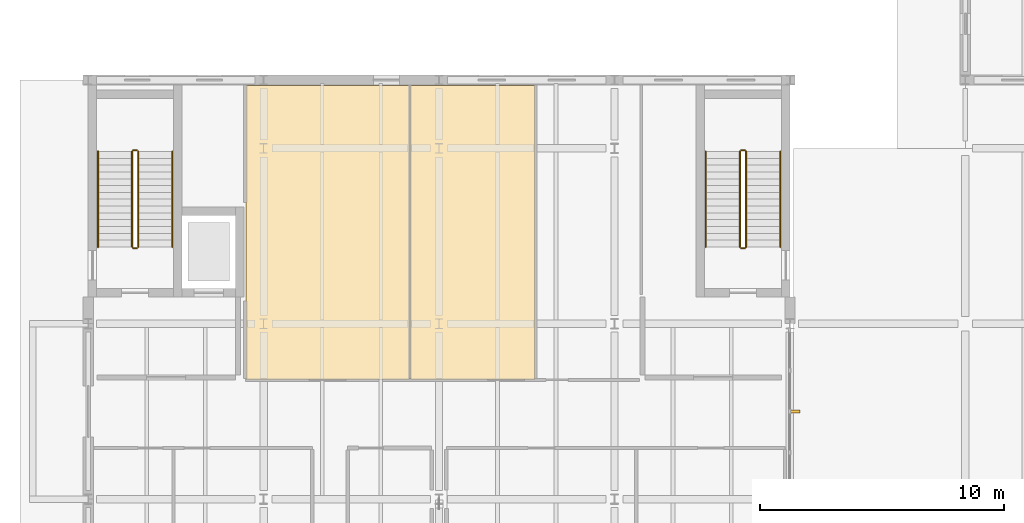
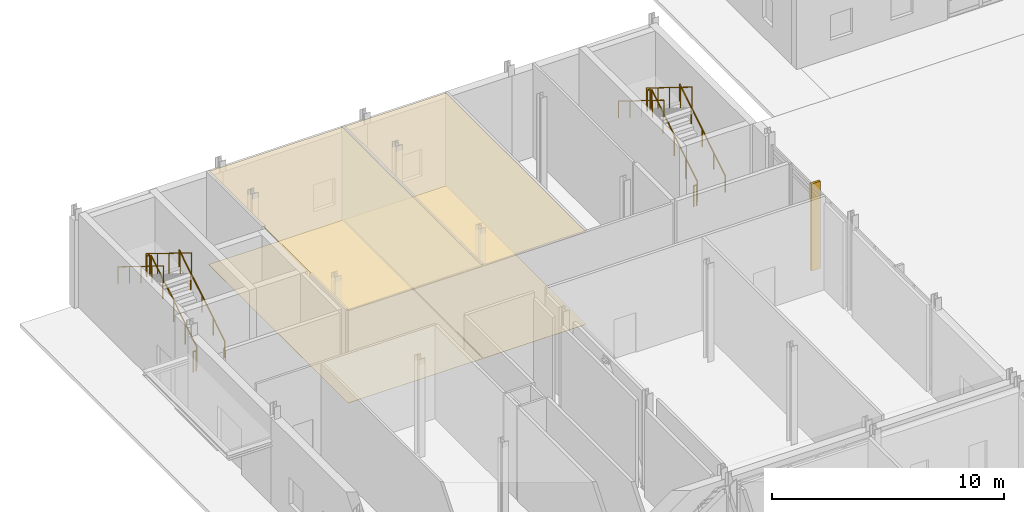
# One storey, part 83 of 89: 12 railings, 4 coverings, 1 shading device.
"""IFC4 building model written with IfcOpenShell, lengths in metres."""

from ifc_helpers import new_model, si_unit, direction, frame, origin, origin_2d, place, context, subcontext, project, spatial, polyline, rectangle, circle, outline, extrude, material, layer, layer_set, type_object, element, save


model = new_model("IFC4")

# Units and contexts
model_context = context("Model", 3, precision=1e-05, world=origin(), true_north=direction((0.0, 1.0)))
body_context = subcontext(model_context, "Body", "Model", "MODEL_VIEW")
ifc_project = project(units=[si_unit("LENGTHUNIT", "METRE"), si_unit("AREAUNIT", "SQUARE_METRE"), si_unit("VOLUMEUNIT", "CUBIC_METRE"), si_unit("PLANEANGLEUNIT", "RADIAN"), si_unit("MASSUNIT", "GRAM", prefix="KILO")], contexts=[model_context])

# Site, building, storey
site_placement = place(None, origin())
site = spatial("IfcSite", under=ifc_project, at=site_placement, CompositionType="ELEMENT")
building_placement = place(site_placement, origin())
building = spatial("IfcBuilding", under=site, at=building_placement, Name="Zarrinpeak Specialist Clinic", CompositionType="ELEMENT")
storey_placement = place(building_placement, origin())
storey = spatial("IfcBuildingStorey", under=building, at=storey_placement, Name="L00", CompositionType="ELEMENT", Elevation=0.0)

# Coverings
ifc_material_1 = material(Name="Hygienic Acoustic Mineral Fibre Tile")
ifc_layer_1 = layer(ifc_material_1, 0.02490234375)
ifc_layer_set_1 = layer_set([ifc_layer_1], Name="Hygienic Acoustic Mineral Fibre Tile")
covering_type_1 = type_object("IfcCoveringType", Name="CV-CEIL-AC", PredefinedType="CEILING", material=ifc_layer_set_1)
covering_1_placement = place(storey_placement, frame((0.0, 0.0, 4.885009765625)))
element("IfcCovering", 1, at=covering_1_placement, inside=storey, type_object=covering_type_1, Name="L00 3T MRI Diagnostic Suite Hygienic Acoustic Ceiling", PredefinedType="CEILING", context=body_context, shape_type="SweptSolid", body=[
    extrude(outline(polyline([(13.219970703125, 69.719970703125), (18.330078125, 69.719970703125), (18.330078125, 81.780029296875), (13.219970703125, 81.780029296875), (13.219970703125, 69.719970703125)])), origin(), (0.0, 0.0, 1.0), 0.02490234375),
])
covering_2_placement = place(storey_placement, frame((0.0, 0.0, 4.885009765625)))
element("IfcCovering", 2, at=covering_2_placement, inside=storey, type_object=covering_type_1, Name="L00 128-Slice CT Scanner Suite Hygienic Acoustic Ceiling", PredefinedType="CEILING", context=body_context, shape_type="SweptSolid", body=[
    extrude(outline(polyline([(6.469970703125, 69.719970703125), (13.179931640625, 69.719970703125), (13.179931640625, 81.780029296875), (6.469970703125, 81.780029296875), (6.469970703125, 69.719970703125)])), origin(), (0.0, 0.0, 1.0), 0.02490234375),
])
ifc_material_2 = material(Name="Homogeneous Antimicrobial Clinical Vinyl")
ifc_layer_2 = layer(ifc_material_2, 0.008056640625)
ifc_layer_set_2 = layer_set([ifc_layer_2], Name="Homogeneous Antimicrobial Clinical Vinyl")
covering_type_2 = type_object("IfcCoveringType", Name="CV-FLR-VN", PredefinedType="FLOORING", material=ifc_layer_set_2)
covering_3_placement = place(storey_placement, frame((0.0, 0.0, 0.0009765625)))
element("IfcCovering", 3, at=covering_3_placement, inside=storey, type_object=covering_type_2, Name="L00 3T MRI Diagnostic Suite Antimicrobial Vinyl Flooring", PredefinedType="FLOORING", context=body_context, shape_type="SweptSolid", body=[
    extrude(outline(polyline([(13.219970703125, 69.719970703125), (18.330078125, 69.719970703125), (18.330078125, 81.780029296875), (13.219970703125, 81.780029296875), (13.219970703125, 69.719970703125)])), origin(), (0.0, 0.0, 1.0), 0.008056640625),
])
covering_4_placement = place(storey_placement, frame((0.0, 0.0, 0.0009765625)))
element("IfcCovering", 4, at=covering_4_placement, inside=storey, type_object=covering_type_2, Name="L00 128-Slice CT Scanner Suite Antimicrobial Vinyl Flooring", PredefinedType="FLOORING", context=body_context, shape_type="SweptSolid", body=[
    extrude(outline(polyline([(6.469970703125, 69.719970703125), (13.179931640625, 69.719970703125), (13.179931640625, 81.780029296875), (6.469970703125, 81.780029296875), (6.469970703125, 69.719970703125)])), origin(), (0.0, 0.0, 1.0), 0.008056640625),
])

# Railings
ifc_material_3 = material(Name="Laminated Safety Glass and Stainless Steel 316", Category="steel")
ifc_layer_3 = layer(ifc_material_3, 0.06005859375)
ifc_layer_set_3 = layer_set([ifc_layer_3], Name="Laminated Safety Glass and Stainless Steel 316")
railing_type_1 = type_object("IfcRailingType", Name="RL-GRD115", PredefinedType="GUARDRAIL", material=ifc_layer_set_3)
railing_1_placement = place(storey_placement, frame((2.050048828125, 75.14990234375, 0.17333984375)))
element("IfcRailing", 5, at=railing_1_placement, inside=storey, type_object=railing_type_1, Name="L00 ST-09 stair guard 1", PredefinedType="GUARDRAIL", context=body_context, shape_type="SweptSolid", body=[
    extrude(circle(Radius=0.02392578125, at=origin_2d()), frame((0.0, 0.0, 1.076171875), z_axis=(0.0, 0.850266275192, 0.526352791643), x_axis=(-1.0, 0.0, 0.0)), (0.0, 0.0, 1.0), 4.610595703125),
    extrude(circle(Radius=0.02099609375, at=origin_2d()), origin(), (0.0, 0.0, 1.0), 1.052001953125),
    extrude(circle(Radius=0.02099609375, at=origin_2d()), frame((0.0, 0.97998046875, 0.606689453125)), (0.0, 0.0, 1.0), 1.052001953125),
    extrude(circle(Radius=0.02099609375, at=origin_2d()), frame((0.0, 1.9599609375, 1.21337890625)), (0.0, 0.0, 1.0), 1.052001953125),
    extrude(circle(Radius=0.02099609375, at=origin_2d()), frame((0.0, 2.940185546875, 1.820068359375)), (0.0, 0.0, 1.0), 1.052001953125),
    extrude(circle(Radius=0.02099609375, at=origin_2d()), frame((0.0, 3.920166015625, 2.4267578125)), (0.0, 0.0, 1.0), 1.052001953125),
])
railing_2_placement = place(storey_placement, frame((2.0, 79.1201171875, 2.60009765625)))
element("IfcRailing", 6, at=railing_2_placement, inside=storey, type_object=railing_type_1, Name="L00 ST-09 stair guard 2", PredefinedType="GUARDRAIL", context=body_context, shape_type="SweptSolid", body=[
    extrude(circle(Radius=0.02392578125, at=origin_2d()), frame((0.0, 0.0, 1.076171875), z_axis=(-1.0, 0.0, 0.0), x_axis=(0.0, -1.0, 0.0)), (0.0, 0.0, 1.0), 0.14990234375),
    extrude(circle(Radius=0.02099609375, at=origin_2d()), origin(), (0.0, 0.0, 1.0), 1.052001953125),
    extrude(circle(Radius=0.02099609375, at=origin_2d()), frame((-0.14990234375, 0.0, 0.0)), (0.0, 0.0, 1.0), 1.052001953125),
])
railing_3_placement = place(storey_placement, frame((1.800048828125, 79.070068359375, 2.7734375)))
element("IfcRailing", 7, at=railing_3_placement, inside=storey, type_object=railing_type_1, Name="L00 ST-09 stair guard 3", PredefinedType="GUARDRAIL", context=body_context, shape_type="SweptSolid", body=[
    extrude(circle(Radius=0.02392578125, at=origin_2d()), frame((0.0, 0.0, 1.076171875), z_axis=(0.0, -0.850289973577, 0.526314507528), x_axis=(1.0, 0.0, 0.0)), (0.0, 0.0, 1.0), 4.6103515625),
    extrude(circle(Radius=0.02099609375, at=origin_2d()), origin(), (0.0, 0.0, 1.0), 1.052001953125),
    extrude(circle(Radius=0.02099609375, at=origin_2d()), frame((0.0, -0.97998046875, 0.606689453125)), (0.0, 0.0, 1.0), 1.052001953125),
    extrude(circle(Radius=0.02099609375, at=origin_2d()), frame((0.0, -1.9599609375, 1.21337890625)), (0.0, 0.0, 1.0), 1.052001953125),
    extrude(circle(Radius=0.02099609375, at=origin_2d()), frame((0.0, -2.940185546875, 1.81982421875)), (0.0, 0.0, 1.0), 1.052001953125),
    extrude(circle(Radius=0.02099609375, at=origin_2d()), frame((0.0, -3.920166015625, 2.426513671875)), (0.0, 0.0, 1.0), 1.052001953125),
])
railing_4_placement = place(storey_placement, frame((2.0, 75.10009765625, 0.0)))
element("IfcRailing", 8, at=railing_4_placement, inside=storey, type_object=railing_type_1, Name="L00 ST-09 stair guard 4", PredefinedType="GUARDRAIL", context=body_context, shape_type="SweptSolid", body=[
    extrude(circle(Radius=0.02392578125, at=origin_2d()), frame((0.0, 0.0, 1.076171875), z_axis=(-1.0, 0.0, 0.0), x_axis=(0.0, -1.0, 0.0)), (0.0, 0.0, 1.0), 0.14990234375),
    extrude(circle(Radius=0.02099609375, at=origin_2d()), origin(), (0.0, 0.0, 1.0), 1.052001953125),
    extrude(circle(Radius=0.02099609375, at=origin_2d()), frame((-0.14990234375, 0.0, 0.0)), (0.0, 0.0, 1.0), 1.052001953125),
])
railing_5_placement = place(storey_placement, frame((27.0, 75.14990234375, 0.17333984375)))
element("IfcRailing", 9, at=railing_5_placement, inside=storey, type_object=railing_type_1, Name="L00 ST-10 stair guard 1", PredefinedType="GUARDRAIL", context=body_context, shape_type="SweptSolid", body=[
    extrude(circle(Radius=0.02392578125, at=origin_2d()), frame((0.0, 0.0, 1.076171875), z_axis=(0.0, 0.850266275192, 0.526352791643), x_axis=(-1.0, 0.0, 0.0)), (0.0, 0.0, 1.0), 4.610595703125),
    extrude(circle(Radius=0.02099609375, at=origin_2d()), origin(), (0.0, 0.0, 1.0), 1.052001953125),
    extrude(circle(Radius=0.02099609375, at=origin_2d()), frame((0.0, 0.97998046875, 0.606689453125)), (0.0, 0.0, 1.0), 1.052001953125),
    extrude(circle(Radius=0.02099609375, at=origin_2d()), frame((0.0, 1.9599609375, 1.21337890625)), (0.0, 0.0, 1.0), 1.052001953125),
    extrude(circle(Radius=0.02099609375, at=origin_2d()), frame((0.0, 2.940185546875, 1.820068359375)), (0.0, 0.0, 1.0), 1.052001953125),
    extrude(circle(Radius=0.02099609375, at=origin_2d()), frame((0.0, 3.920166015625, 2.4267578125)), (0.0, 0.0, 1.0), 1.052001953125),
])
railing_6_placement = place(storey_placement, frame((26.949951171875, 79.1201171875, 2.60009765625)))
element("IfcRailing", 10, at=railing_6_placement, inside=storey, type_object=railing_type_1, Name="L00 ST-10 stair guard 2", PredefinedType="GUARDRAIL", context=body_context, shape_type="SweptSolid", body=[
    extrude(circle(Radius=0.02392578125, at=origin_2d()), frame((0.0, 0.0, 1.076171875), z_axis=(-1.0, 0.0, 0.0), x_axis=(0.0, -1.0, 0.0)), (0.0, 0.0, 1.0), 0.14990234375),
    extrude(circle(Radius=0.02099609375, at=origin_2d()), origin(), (0.0, 0.0, 1.0), 1.052001953125),
    extrude(circle(Radius=0.02099609375, at=origin_2d()), frame((-0.14990234375, 0.0, 0.0)), (0.0, 0.0, 1.0), 1.052001953125),
])
railing_7_placement = place(storey_placement, frame((26.75, 79.070068359375, 2.7734375)))
element("IfcRailing", 11, at=railing_7_placement, inside=storey, type_object=railing_type_1, Name="L00 ST-10 stair guard 3", PredefinedType="GUARDRAIL", context=body_context, shape_type="SweptSolid", body=[
    extrude(circle(Radius=0.02392578125, at=origin_2d()), frame((0.0, 0.0, 1.076171875), z_axis=(0.0, -0.850289973577, 0.526314507528), x_axis=(1.0, 0.0, 0.0)), (0.0, 0.0, 1.0), 4.6103515625),
    extrude(circle(Radius=0.02099609375, at=origin_2d()), origin(), (0.0, 0.0, 1.0), 1.052001953125),
    extrude(circle(Radius=0.02099609375, at=origin_2d()), frame((0.0, -0.97998046875, 0.606689453125)), (0.0, 0.0, 1.0), 1.052001953125),
    extrude(circle(Radius=0.02099609375, at=origin_2d()), frame((0.0, -1.9599609375, 1.21337890625)), (0.0, 0.0, 1.0), 1.052001953125),
    extrude(circle(Radius=0.02099609375, at=origin_2d()), frame((0.0, -2.940185546875, 1.81982421875)), (0.0, 0.0, 1.0), 1.052001953125),
    extrude(circle(Radius=0.02099609375, at=origin_2d()), frame((0.0, -3.920166015625, 2.426513671875)), (0.0, 0.0, 1.0), 1.052001953125),
])
railing_8_placement = place(storey_placement, frame((26.949951171875, 75.10009765625, 0.0)))
element("IfcRailing", 12, at=railing_8_placement, inside=storey, type_object=railing_type_1, Name="L00 ST-10 stair guard 4", PredefinedType="GUARDRAIL", context=body_context, shape_type="SweptSolid", body=[
    extrude(circle(Radius=0.02392578125, at=origin_2d()), frame((0.0, 0.0, 1.076171875), z_axis=(-1.0, 0.0, 0.0), x_axis=(0.0, -1.0, 0.0)), (0.0, 0.0, 1.0), 0.14990234375),
    extrude(circle(Radius=0.02099609375, at=origin_2d()), origin(), (0.0, 0.0, 1.0), 1.052001953125),
    extrude(circle(Radius=0.02099609375, at=origin_2d()), frame((-0.14990234375, 0.0, 0.0)), (0.0, 0.0, 1.0), 1.052001953125),
])
ifc_material_4 = material(Name="Brushed Stainless Steel 316 Handrail", Category="steel")
ifc_layer_4 = layer(ifc_material_4, 0.050048828125)
ifc_layer_set_4 = layer_set([ifc_layer_4], Name="Brushed Stainless Steel 316 Handrail")
railing_type_2 = type_object("IfcRailingType", Name="RL-HND92", PredefinedType="HANDRAIL", material=ifc_layer_set_4)
railing_9_placement = place(storey_placement, frame((3.449951171875, 75.14990234375, 0.17333984375)))
element("IfcRailing", 13, at=railing_9_placement, inside=storey, type_object=railing_type_2, Name="L00 ST-09 stair handrail 1", PredefinedType="HANDRAIL", context=body_context, shape_type="SweptSolid", body=[
    extrude(circle(Radius=0.02392578125, at=origin_2d()), frame((0.0, 0.0, 0.8759765625), z_axis=(0.0, 0.850266275192, 0.526352791643), x_axis=(-1.0, 0.0, 0.0)), (0.0, 0.0, 1.0), 4.610595703125),
    extrude(circle(Radius=0.02099609375, at=origin_2d()), origin(), (0.0, 0.0, 1.0), 0.851806640625),
    extrude(circle(Radius=0.02099609375, at=origin_2d()), frame((0.0, 0.97998046875, 0.606689453125)), (0.0, 0.0, 1.0), 0.851806640625),
    extrude(circle(Radius=0.02099609375, at=origin_2d()), frame((0.0, 1.9599609375, 1.21337890625)), (0.0, 0.0, 1.0), 0.851806640625),
    extrude(circle(Radius=0.02099609375, at=origin_2d()), frame((0.0, 2.940185546875, 1.820068359375)), (0.0, 0.0, 1.0), 0.851806640625),
    extrude(circle(Radius=0.02099609375, at=origin_2d()), frame((0.0, 3.920166015625, 2.4267578125)), (0.0, 0.0, 1.0), 0.851806640625),
])
railing_10_placement = place(storey_placement, frame((0.39990234375, 79.070068359375, 2.7734375)))
element("IfcRailing", 14, at=railing_10_placement, inside=storey, type_object=railing_type_2, Name="L00 ST-09 stair handrail 2", PredefinedType="HANDRAIL", context=body_context, shape_type="SweptSolid", body=[
    extrude(circle(Radius=0.02392578125, at=origin_2d()), frame((0.0, 0.0, 0.8759765625), z_axis=(0.0, -0.850289973577, 0.526314507528), x_axis=(1.0, 0.0, 0.0)), (0.0, 0.0, 1.0), 4.6103515625),
    extrude(circle(Radius=0.02099609375, at=origin_2d()), origin(), (0.0, 0.0, 1.0), 0.851806640625),
    extrude(circle(Radius=0.02099609375, at=origin_2d()), frame((0.0, -0.97998046875, 0.606689453125)), (0.0, 0.0, 1.0), 0.851806640625),
    extrude(circle(Radius=0.02099609375, at=origin_2d()), frame((0.0, -1.9599609375, 1.21337890625)), (0.0, 0.0, 1.0), 0.851806640625),
    extrude(circle(Radius=0.02099609375, at=origin_2d()), frame((0.0, -2.940185546875, 1.81982421875)), (0.0, 0.0, 1.0), 0.851806640625),
    extrude(circle(Radius=0.02099609375, at=origin_2d()), frame((0.0, -3.920166015625, 2.426513671875)), (0.0, 0.0, 1.0), 0.851806640625),
])
railing_11_placement = place(storey_placement, frame((28.39990234375, 75.14990234375, 0.17333984375)))
element("IfcRailing", 15, at=railing_11_placement, inside=storey, type_object=railing_type_2, Name="L00 ST-10 stair handrail 1", PredefinedType="HANDRAIL", context=body_context, shape_type="SweptSolid", body=[
    extrude(circle(Radius=0.02392578125, at=origin_2d()), frame((0.0, 0.0, 0.8759765625), z_axis=(0.0, 0.850266275192, 0.526352791643), x_axis=(-1.0, 0.0, 0.0)), (0.0, 0.0, 1.0), 4.610595703125),
    extrude(circle(Radius=0.02099609375, at=origin_2d()), origin(), (0.0, 0.0, 1.0), 0.851806640625),
    extrude(circle(Radius=0.02099609375, at=origin_2d()), frame((0.0, 0.97998046875, 0.606689453125)), (0.0, 0.0, 1.0), 0.851806640625),
    extrude(circle(Radius=0.02099609375, at=origin_2d()), frame((0.0, 1.9599609375, 1.21337890625)), (0.0, 0.0, 1.0), 0.851806640625),
    extrude(circle(Radius=0.02099609375, at=origin_2d()), frame((0.0, 2.940185546875, 1.820068359375)), (0.0, 0.0, 1.0), 0.851806640625),
    extrude(circle(Radius=0.02099609375, at=origin_2d()), frame((0.0, 3.920166015625, 2.4267578125)), (0.0, 0.0, 1.0), 0.851806640625),
])
railing_12_placement = place(storey_placement, frame((25.35009765625, 79.070068359375, 2.7734375)))
element("IfcRailing", 16, at=railing_12_placement, inside=storey, type_object=railing_type_2, Name="L00 ST-10 stair handrail 2", PredefinedType="HANDRAIL", context=body_context, shape_type="SweptSolid", body=[
    extrude(circle(Radius=0.02392578125, at=origin_2d()), frame((0.0, 0.0, 0.8759765625), z_axis=(0.0, -0.850289973577, 0.526314507528), x_axis=(1.0, 0.0, 0.0)), (0.0, 0.0, 1.0), 4.6103515625),
    extrude(circle(Radius=0.02099609375, at=origin_2d()), origin(), (0.0, 0.0, 1.0), 0.851806640625),
    extrude(circle(Radius=0.02099609375, at=origin_2d()), frame((0.0, -0.97998046875, 0.606689453125)), (0.0, 0.0, 1.0), 0.851806640625),
    extrude(circle(Radius=0.02099609375, at=origin_2d()), frame((0.0, -1.9599609375, 1.21337890625)), (0.0, 0.0, 1.0), 0.851806640625),
    extrude(circle(Radius=0.02099609375, at=origin_2d()), frame((0.0, -2.940185546875, 1.81982421875)), (0.0, 0.0, 1.0), 0.851806640625),
    extrude(circle(Radius=0.02099609375, at=origin_2d()), frame((0.0, -3.920166015625, 2.426513671875)), (0.0, 0.0, 1.0), 0.851806640625),
])

# Shading device
ifc_material_5 = material(Name="Glulam GL28h", Category="wood")
shading_device_type = type_object("IfcShadingDeviceType", Name="SHD-FIN-GL", PredefinedType="USERDEFINED", material=ifc_material_5)
shading_device_placement = place(storey_placement, frame((29.0, 68.39990234375, -0.01513671875), z_axis=(0.0, 0.0, 1.0), x_axis=(1.0, 0.0, 0.0)))
element("IfcShadingDevice", 17, at=shading_device_placement, inside=storey, type_object=shading_device_type, Name="L00 V5 Cedar-Glulam Courtyard Fin FIN-074", ObjectType="SUNSHADE", PredefinedType="USERDEFINED", context=body_context, shape_type="SweptSolid", body=[
    extrude(rectangle(XDim=0.449951171875, YDim=0.110107421875, at=origin_2d()), origin(), (0.0, 0.0, 1.0), 4.594970703125),
])

save(model, "model.ifc")
